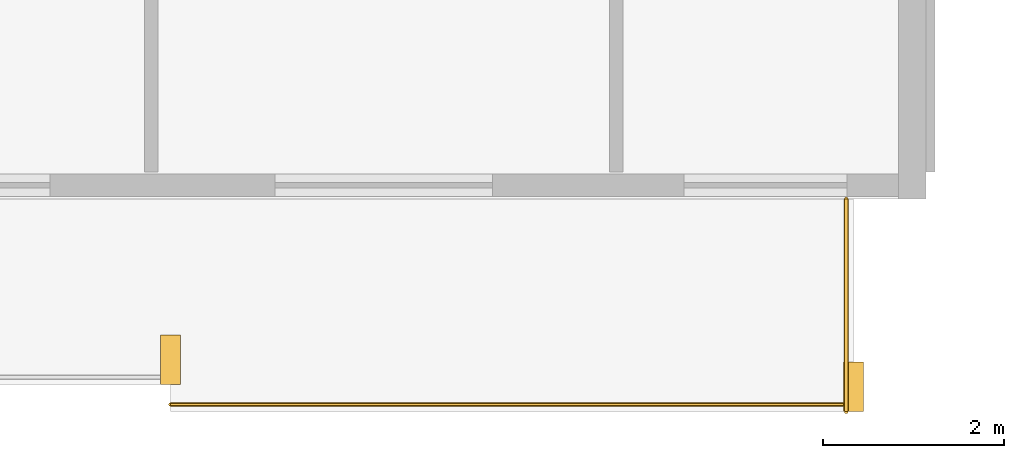
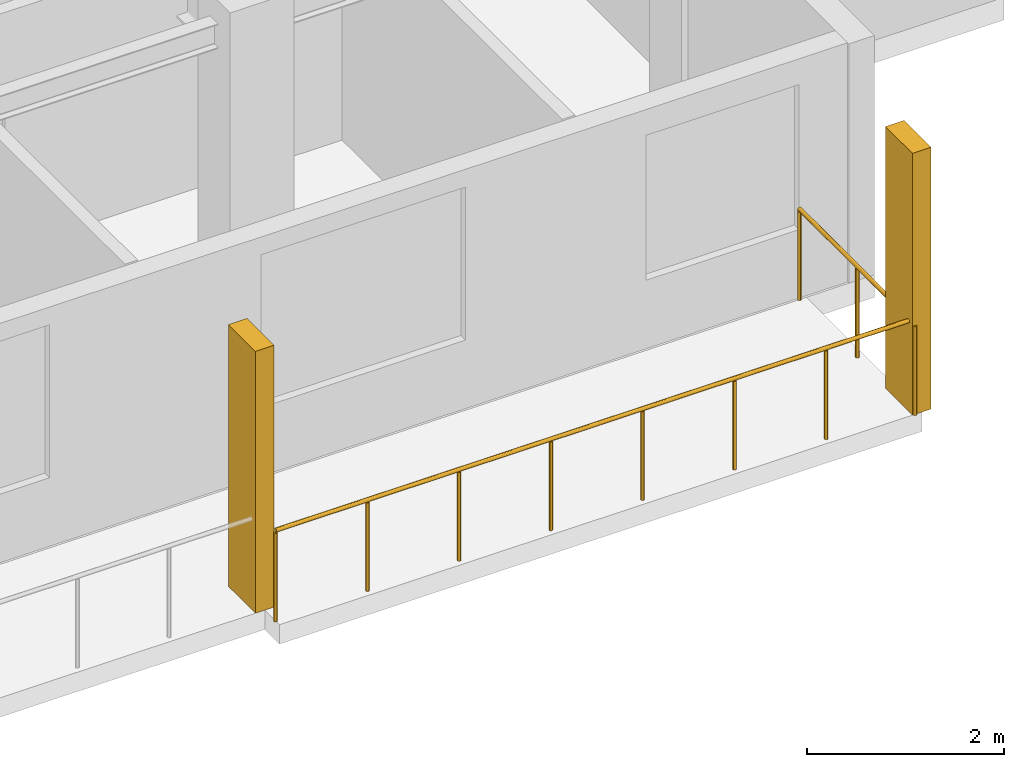
# One storey, part 20 of 22: 2 railings, 2 shading devices.
"""IFC4 building model written with IfcOpenShell, lengths in metres."""

from ifc_helpers import new_model, si_unit, direction, frame, origin, origin_2d, place, context, subcontext, project, spatial, rectangle, circle, extrude, material, type_object, element, save


model = new_model("IFC4")

# Units and contexts
model_context = context("Model", 3, precision=1e-05, world=origin(), true_north=direction((0.0, 1.0)))
body_context = subcontext(model_context, "Body", "Model", "MODEL_VIEW")
ifc_project = project(units=[si_unit("LENGTHUNIT", "METRE"), si_unit("AREAUNIT", "SQUARE_METRE"), si_unit("VOLUMEUNIT", "CUBIC_METRE"), si_unit("PLANEANGLEUNIT", "RADIAN"), si_unit("MASSUNIT", "GRAM", prefix="KILO")], contexts=[model_context])

# Site, building, storey
site_placement = place(None, origin())
site = spatial("IfcSite", under=ifc_project, at=site_placement, CompositionType="ELEMENT")
building_placement = place(site_placement, origin())
building = spatial("IfcBuilding", under=site, at=building_placement, Name="Korimba Cascade Residences", CompositionType="ELEMENT")
storey_placement = place(building_placement, frame((0.0, 0.0, 194.60009765625)))
storey = spatial("IfcBuildingStorey", under=building, at=storey_placement, Name="L56", CompositionType="ELEMENT", Elevation=194.60009765625)

# Railings
ifc_material_1 = material(Name="Laminated Glass and Bronze Balustrade", Category="glass")
railing_type = type_object("IfcRailingType", Name="RLG-LOG-1150", PredefinedType="BALUSTRADE", material=ifc_material_1)
railing_1_placement = place(storey_placement, frame((120.55712890625, -10.070068359375, 0.0)))
element("IfcRailing", 1, at=railing_1_placement, inside=storey, type_object=railing_type, Name="L56 Perimeter Guardrail RLG-L56-T2-LOG-06", PredefinedType="BALUSTRADE", context=body_context, shape_type="SweptSolid", body=[
    extrude(circle(Radius=0.02392578125, at=origin_2d()), frame((0.0, 0.0, 1.1259765625), z_axis=(1.0, 0.0, 0.0), x_axis=(0.0, 1.0, 0.0)), (0.0, 0.0, 1.0), 7.54296875),
    extrude(circle(Radius=0.02099609375, at=origin_2d()), origin(), (0.0, 0.0, 1.0), 1.101806640625),
    extrude(circle(Radius=0.02099609375, at=origin_2d()), frame((1.07763671875, 0.0, 0.0)), (0.0, 0.0, 1.0), 1.101806640625),
    extrude(circle(Radius=0.02099609375, at=origin_2d()), frame((2.155029296875, 0.0, 0.0)), (0.0, 0.0, 1.0), 1.101806640625),
    extrude(circle(Radius=0.02099609375, at=origin_2d()), frame((3.232666015625, 0.0, 0.0)), (0.0, 0.0, 1.0), 1.101806640625),
    extrude(circle(Radius=0.02099609375, at=origin_2d()), frame((4.310302734375, 0.0, 0.0)), (0.0, 0.0, 1.0), 1.101806640625),
    extrude(circle(Radius=0.02099609375, at=origin_2d()), frame((5.387939453125, 0.0, 0.0)), (0.0, 0.0, 1.0), 1.101806640625),
    extrude(circle(Radius=0.02099609375, at=origin_2d()), frame((6.46533203125, 0.0, 0.0)), (0.0, 0.0, 1.0), 1.101806640625),
    extrude(circle(Radius=0.02099609375, at=origin_2d()), frame((7.54296875, 0.0, 0.0)), (0.0, 0.0, 1.0), 1.101806640625),
])
railing_2_placement = place(storey_placement, frame((128.02001953125, -10.14990234375, 0.0)))
element("IfcRailing", 2, at=railing_2_placement, inside=storey, type_object=railing_type, Name="L56 Perimeter Guardrail RLG-L56-T2-LOG-07", PredefinedType="BALUSTRADE", context=body_context, shape_type="SweptSolid", body=[
    extrude(circle(Radius=0.02392578125, at=origin_2d()), frame((0.0, 0.0, 1.1259765625), z_axis=(0.0, 1.0, 0.0), x_axis=(-1.0, 0.0, 0.0)), (0.0, 0.0, 1.0), 2.349853515625),
    extrude(circle(Radius=0.02099609375, at=origin_2d()), origin(), (0.0, 0.0, 1.0), 1.101806640625),
    extrude(circle(Radius=0.02099609375, at=origin_2d()), frame((0.0, 1.1748046875, 0.0)), (0.0, 0.0, 1.0), 1.101806640625),
    extrude(circle(Radius=0.02099609375, at=origin_2d()), frame((0.0, 2.349853515625, 0.0)), (0.0, 0.0, 1.0), 1.101806640625),
])

# Shading devices
ifc_material_2 = material(Name="Honed Sandstone Precast Fin", Category="masonry")
shading_device_type = type_object("IfcShadingDeviceType", Name="SHD-FIN-550", PredefinedType="USERDEFINED", material=ifc_material_2)
for number, where, z_axis, x_axis, name in (
    (3, (120.55712890625, -9.574951171875, 0.0), (0.0, 0.0, 1.0), (1.0, 0.0, 0.0), "L56 T2 Warm-Stone Loggia Fin 7"),
    (4, (128.10009765625, -9.875, 0.0), (0.0, 0.0, 1.0), (1.0, 0.0, 0.0), "L56 T2 Warm-Stone Loggia Fin 8"),
):
    element("IfcShadingDevice", number, at=place(storey_placement, frame(where, z_axis=z_axis, x_axis=x_axis)), inside=storey, type_object=shading_device_type, Name=name, ObjectType="FIN", PredefinedType="USERDEFINED", context=body_context, shape_type="SweptSolid", body=[
        extrude(rectangle(XDim=0.219970703125, YDim=0.550048828125, at=origin_2d()), origin(), (0.0, 0.0, 1.0), 3.25),
    ])

save(model, "model.ifc")
